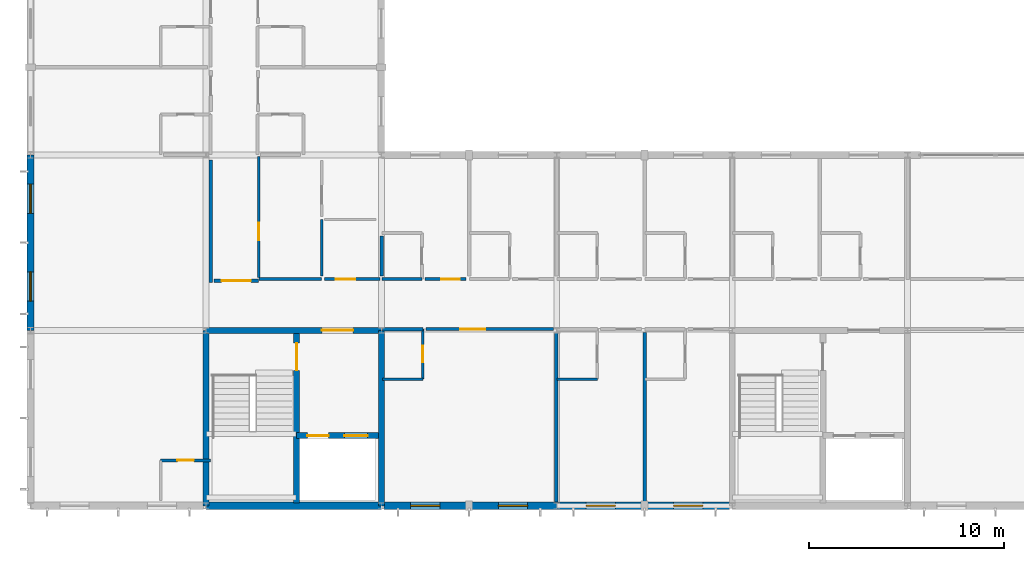
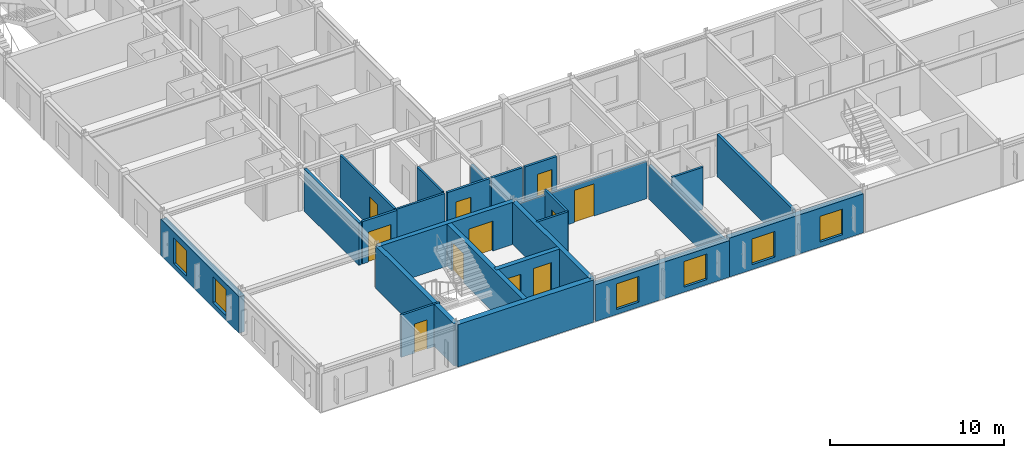
# One storey, part 9 of 18: 26 walls, 11 doors, 6 windows, 17 openings.
"""IFC4 building model written with IfcOpenShell, lengths in metres."""

from ifc_helpers import new_model, si_unit, direction, frame, frame_2d, origin, place, context, subcontext, project, spatial, rectangle, extrude, material, layer, layer_set, type_object, element, fill, save


model = new_model("IFC4")

# Units and contexts
model_context = context("Model", 3, precision=1e-05, world=origin(), true_north=direction((0.0, 1.0)))
body_context = subcontext(model_context, "Body", "Model", "MODEL_VIEW")
ifc_project = project(units=[si_unit("LENGTHUNIT", "METRE"), si_unit("AREAUNIT", "SQUARE_METRE"), si_unit("VOLUMEUNIT", "CUBIC_METRE"), si_unit("PLANEANGLEUNIT", "RADIAN"), si_unit("MASSUNIT", "GRAM", prefix="KILO")], contexts=[model_context])

# Site, building, storey
site_placement = place(None, origin())
site = spatial("IfcSite", under=ifc_project, at=site_placement, CompositionType="ELEMENT")
building_placement = place(site_placement, origin())
building = spatial("IfcBuilding", under=site, at=building_placement, Name="Palais des Congres Ocreval", CompositionType="ELEMENT")
storey_placement = place(building_placement, frame((0.0, 0.0, 23.679931640625)))
storey = spatial("IfcBuildingStorey", under=building, at=storey_placement, Name="L07", CompositionType="ELEMENT", Elevation=23.679931640625)

# Wall, opening, door
ifc_material_1 = material(Name="Moisture-resistant gypsum board")
ifc_layer_1 = layer(ifc_material_1, 0.139892578125)
ifc_layer_set_1 = layer_set([ifc_layer_1], Name="Bathroom Plumbing Chase Wall 140 Gypsum (Moisture-resistant gypsum board)")
wall_type_1 = type_object("IfcWallType", Name="Bathroom Plumbing Chase Wall 140 Gypsum", PredefinedType="PLUMBINGWALL", material=ifc_layer_set_1)
wall_1_placement = place(storey_placement, frame((6.679931640625, 2.330078125, 0.0), z_axis=(0.0, 0.0, 1.0), x_axis=(1.0, 0.0, 0.0)))
wall_1 = element("IfcWall", 1, at=wall_1_placement, inside=storey, type_object=wall_type_1, Name="Bathroom Plumbing Wall PW03 L07", PredefinedType="PLUMBINGWALL", context=body_context, shape_type="SweptSolid", body=[
    extrude(rectangle(XDim=2.56005859375, YDim=0.139892578125, at=frame_2d((1.280029296875, 0.0))), origin(), (0.0, 0.0, 1.0), 2.9599609375),
])
opening_1_placement = place(wall_1_placement, frame((0.85498046875, 0.0, 0.0)))
opening_1 = element("IfcOpeningElement", 2, at=opening_1_placement, cuts=wall_1, Name="Opening D08", PredefinedType="OPENING", context=body_context, shape_type="SweptSolid", body=[
    extrude(rectangle(XDim=0.85009765625, YDim=2.0400390625, at=frame_2d((0.425048828125, 1.02001953125))), frame((0.0, 0.079833984375, 0.0), z_axis=(0.0, -1.0, 0.0), x_axis=(1.0, 0.0, 0.0)), (0.0, 0.0, 1.0), 0.159912109375),
])
ifc_material_2 = material(Name="Solid French oak", Category="wood")
door_type_1 = type_object("IfcDoorType", Name="En-Suite Bathroom Door 850x2040", OperationType="NOTDEFINED", PredefinedType="DOOR", material=ifc_material_2)
door_1_placement = place(opening_1_placement, origin())
door_1 = element("IfcDoor", 3, at=door_1_placement, inside=storey, type_object=door_type_1, Name="En-Suite Bathroom Door D08 L07", OperationType="SINGLE_SWING_LEFT", OverallHeight=2.0400390625, OverallWidth=0.85009765625, PredefinedType="DOOR", context=body_context, shape_type="SweptSolid", body=[
    extrude(rectangle(XDim=0.85009765625, YDim=2.0400390625, at=frame_2d((0.425048828125, 1.02001953125))), frame((0.0, 0.02490234375, 0.0), z_axis=(0.0, -1.0, 0.0), x_axis=(1.0, 0.0, 0.0)), (0.0, 0.0, 1.0), 0.050048828125),
])
fill(opening_1, door_1)

wall_2_placement = place(storey_placement, frame((20.1298828125, 6.5, 0.0), z_axis=(0.0, 0.0, 1.0), x_axis=(0.0, 1.0, 0.0)))
wall_2 = element("IfcWall", 4, at=wall_2_placement, inside=storey, type_object=wall_type_1, Name="Bathroom Plumbing Wall PW03 L07", PredefinedType="PLUMBINGWALL", context=body_context, shape_type="SweptSolid", body=[
    extrude(rectangle(XDim=2.56005859375, YDim=0.139892578125, at=frame_2d((1.280029296875, 0.0))), origin(), (0.0, 0.0, 1.0), 2.9599609375),
])
opening_2_placement = place(wall_2_placement, frame((0.85498046875, 0.0, 0.0)))
opening_2 = element("IfcOpeningElement", 5, at=opening_2_placement, cuts=wall_2, Name="Opening D08", PredefinedType="OPENING", context=body_context, shape_type="SweptSolid", body=[
    extrude(rectangle(XDim=0.85009765625, YDim=2.0400390625, at=frame_2d((0.425048828125, 1.02001953125))), frame((0.0, 0.079833984375, 0.0), z_axis=(0.0, -1.0, 0.0), x_axis=(1.0, 0.0, 0.0)), (0.0, 0.0, 1.0), 0.159912109375),
])
door_2_placement = place(opening_2_placement, origin())
door_2 = element("IfcDoor", 6, at=door_2_placement, inside=storey, type_object=door_type_1, Name="En-Suite Bathroom Door D08 L07", OperationType="SINGLE_SWING_RIGHT", OverallHeight=2.0400390625, OverallWidth=0.85009765625, PredefinedType="DOOR", context=body_context, shape_type="SweptSolid", body=[
    extrude(rectangle(XDim=0.85009765625, YDim=2.0400390625, at=frame_2d((0.425048828125, 1.02001953125))), frame((0.0, 0.02490234375, 0.0), z_axis=(0.0, -1.0, 0.0), x_axis=(1.0, 0.0, 0.0)), (0.0, 0.0, 1.0), 0.050048828125),
])
fill(opening_2, door_2)

# Walls
wall_3_placement = place(storey_placement, frame((18.070068359375, 6.5, 0.0), z_axis=(0.0, 0.0, 1.0), x_axis=(1.0, 0.0, 0.0)))
element("IfcWall", 7, at=wall_3_placement, inside=storey, type_object=wall_type_1, Name="Bathroom Plumbing Wall PW03 L07", PredefinedType="PLUMBINGWALL", context=body_context, shape_type="SweptSolid", body=[
    extrude(rectangle(XDim=2.059814453125, YDim=0.139892578125, at=frame_2d((1.02978515625, 0.0))), origin(), (0.0, 0.0, 1.0), 2.9599609375),
])
wall_4_placement = place(storey_placement, frame((27.02001953125, 6.5, 0.0), z_axis=(0.0, 0.0, 1.0), x_axis=(1.0, 0.0, 0.0)))
element("IfcWall", 8, at=wall_4_placement, inside=storey, type_object=wall_type_1, Name="Bathroom Plumbing Wall PW03 L07", PredefinedType="PLUMBINGWALL", context=body_context, shape_type="SweptSolid", body=[
    extrude(rectangle(XDim=2.06005859375, YDim=0.139892578125, at=frame_2d((1.030029296875, 0.0))), origin(), (0.0, 0.0, 1.0), 2.9599609375),
])
wall_5_placement = place(storey_placement, frame((11.719970703125, 11.635009765625, 0.0), z_axis=(0.0, 0.0, 1.0), x_axis=(1.0, 0.0, 0.0)))
element("IfcWall", 9, at=wall_5_placement, inside=storey, type_object=wall_type_1, Name="Interior Partition PW03 L07", PredefinedType="PLUMBINGWALL", context=body_context, shape_type="SweptSolid", body=[
    extrude(rectangle(XDim=3.2099609375, YDim=0.139892578125, at=frame_2d((1.60498046875, 0.0))), origin(), (0.0, 0.0, 1.0), 2.9599609375),
])
wall_6_placement = place(storey_placement, frame((14.93505859375, 11.7900390625, 0.0), z_axis=(0.0, 0.0, 1.0), x_axis=(0.0, 1.0, 0.0)))
element("IfcWall", 10, at=wall_6_placement, inside=storey, type_object=wall_type_1, Name="Interior Partition PW03 L07", PredefinedType="PLUMBINGWALL", context=body_context, shape_type="SweptSolid", body=[
    extrude(rectangle(XDim=2.889892578125, YDim=0.139892578125, at=frame_2d((1.44482421875, 0.0))), origin(), (0.0, 0.0, 1.0), 2.9599609375),
])

# Wall, opening, door
wall_7_placement = place(storey_placement, frame((11.7099609375, 11.705078125, 0.0), z_axis=(0.0, 0.0, 1.0), x_axis=(0.0, 1.0, 0.0)))
wall_7 = element("IfcWall", 11, at=wall_7_placement, inside=storey, type_object=wall_type_1, Name="Interior Partition PW03 L07", PredefinedType="PLUMBINGWALL", context=body_context, shape_type="SweptSolid", body=[
    extrude(rectangle(XDim=6.219970703125, YDim=0.139892578125, at=frame_2d((3.10986328125, 0.0))), origin(), (0.0, 0.0, 1.0), 2.9599609375),
])
opening_3_placement = place(wall_7_placement, frame((1.91357421875, 0.0, 0.0)))
opening_3 = element("IfcOpeningElement", 12, at=opening_3_placement, cuts=wall_7, Name="Opening D09", PredefinedType="OPENING", context=body_context, shape_type="SweptSolid", body=[
    extrude(rectangle(XDim=0.89990234375, YDim=2.10009765625, at=frame_2d((0.449951171875, 1.050048828125))), frame((0.0, 0.079833984375, 0.0), z_axis=(0.0, -1.0, 0.0), x_axis=(1.0, 0.0, 0.0)), (0.0, 0.0, 1.0), 0.159912109375),
])
door_type_2 = type_object("IfcDoorType", Name="Accessible Restroom Door 900x2100", OperationType="NOTDEFINED", PredefinedType="DOOR", material=ifc_material_2)
door_3_placement = place(opening_3_placement, origin())
door_3 = element("IfcDoor", 13, at=door_3_placement, inside=storey, type_object=door_type_2, Name="Interior Door D09 L07", OperationType="SINGLE_SWING_RIGHT", OverallHeight=2.10009765625, OverallWidth=0.89990234375, PredefinedType="DOOR", context=body_context, shape_type="SweptSolid", body=[
    extrude(rectangle(XDim=0.89990234375, YDim=2.10009765625, at=frame_2d((0.449951171875, 1.050048828125))), frame((0.0, 0.02490234375, 0.0), z_axis=(0.0, -1.0, 0.0), x_axis=(1.0, 0.0, 0.0)), (0.0, 0.0, 1.0), 0.050048828125),
])
fill(opening_3, door_3)

# Wall
ifc_material_3 = material(Name="Concrete C40/50", Category="concrete")
ifc_layer_2 = layer(ifc_material_3, 0.300048828125)
ifc_layer_set_2 = layer_set([ifc_layer_2], Name="Core Shear Wall 300 Concrete C40/50")
wall_type_2 = type_object("IfcWallType", Name="Core Shear Wall 300 Concrete C40/50", PredefinedType="SHEAR", material=ifc_layer_set_2)
wall_8_placement = place(storey_placement, frame((18.0, 0.0, 0.0), z_axis=(0.0, 0.0, 1.0), x_axis=(0.0, 1.0, 0.0)))
element("IfcWall", 14, at=wall_8_placement, inside=storey, type_object=wall_type_2, Name="Core Shear Wall SC01 L07 E", PredefinedType="SHEAR", context=body_context, shape_type="SweptSolid", body=[
    extrude(rectangle(XDim=9.0, YDim=0.300048828125, at=frame_2d((4.5, 0.0))), origin(), (0.0, 0.0, 1.0), 2.9599609375),
])

# Wall, opening, door
wall_9_placement = place(storey_placement, frame((9.0, 9.0, 0.0), z_axis=(0.0, 0.0, 1.0), x_axis=(1.0, 0.0, 0.0)))
wall_9 = element("IfcWall", 15, at=wall_9_placement, inside=storey, type_object=wall_type_2, Name="Core Shear Wall SC01 L07 N", PredefinedType="SHEAR", context=body_context, shape_type="SweptSolid", body=[
    extrude(rectangle(XDim=9.0, YDim=0.300048828125, at=frame_2d((4.5, 0.0))), origin(), (0.0, 0.0, 1.0), 2.9599609375),
])
opening_4_placement = place(wall_9_placement, frame((5.949951171875, 0.0, 0.0)))
opening_4 = element("IfcOpeningElement", 16, at=opening_4_placement, cuts=wall_9, Name="Opening D02", PredefinedType="OPENING", context=body_context, shape_type="SweptSolid", body=[
    extrude(rectangle(XDim=1.60009765625, YDim=2.10009765625, at=frame_2d((0.800048828125, 1.050048828125))), frame((0.0, 0.159912109375, 0.0), z_axis=(0.0, -1.0, 0.0), x_axis=(1.0, 0.0, 0.0)), (0.0, 0.0, 1.0), 0.320068359375),
])
ifc_material_4 = material(Name="Painted fire-rated steel", Category="steel")
door_type_3 = type_object("IfcDoorType", Name="Firefighting Lobby Rated Door 1600x2100", OperationType="NOTDEFINED", PredefinedType="DOOR", material=ifc_material_4)
door_4_placement = place(opening_4_placement, origin())
door_4 = element("IfcDoor", 17, at=door_4_placement, inside=storey, type_object=door_type_3, Name="Firefighting Lobby Entrance Door SC01 L07", OperationType="DOUBLE_DOOR_SINGLE_SWING", OverallHeight=2.10009765625, OverallWidth=1.60009765625, PredefinedType="DOOR", context=body_context, shape_type="SweptSolid", body=[
    extrude(rectangle(XDim=1.60009765625, YDim=2.10009765625, at=frame_2d((0.800048828125, 1.050048828125))), frame((0.0, 0.02490234375, 0.0), z_axis=(0.0, -1.0, 0.0), x_axis=(1.0, 0.0, 0.0)), (0.0, 0.0, 1.0), 0.050048828125),
])
fill(opening_4, door_4)

# Wall
wall_10_placement = place(storey_placement, frame((9.0, 0.0, 0.0), z_axis=(0.0, 0.0, 1.0), x_axis=(0.0, 1.0, 0.0)))
element("IfcWall", 18, at=wall_10_placement, inside=storey, type_object=wall_type_2, Name="Core Shear Wall SC01 L07 W", PredefinedType="SHEAR", context=body_context, shape_type="SweptSolid", body=[
    extrude(rectangle(XDim=9.0, YDim=0.300048828125, at=frame_2d((4.5, 0.0))), origin(), (0.0, 0.0, 1.0), 2.9599609375),
])

# Wall, opening, door
wall_11_placement = place(storey_placement, frame((13.64990234375, 0.14990234375, 0.0), z_axis=(0.0, 0.0, 1.0), x_axis=(0.0, 1.0, 0.0)))
wall_11 = element("IfcWall", 19, at=wall_11_placement, inside=storey, type_object=wall_type_2, Name="Core Spine Shear Wall SC01 L07", PredefinedType="SHEAR", context=body_context, shape_type="SweptSolid", body=[
    extrude(rectangle(XDim=8.7001953125, YDim=0.300048828125, at=frame_2d((4.35009765625, 0.0))), origin(), (0.0, 0.0, 1.0), 2.9599609375),
])
opening_5_placement = place(wall_11_placement, frame((6.800048828125, 0.0, 0.0)))
opening_5 = element("IfcOpeningElement", 20, at=opening_5_placement, cuts=wall_11, Name="Opening D03", PredefinedType="OPENING", context=body_context, shape_type="SweptSolid", body=[
    extrude(rectangle(XDim=1.39990234375, YDim=2.02001953125, at=frame_2d((0.699951171875, 1.010009765625))), frame((0.0, 0.159912109375, 0.0), z_axis=(0.0, -1.0, 0.0), x_axis=(1.0, 0.0, 0.0)), (0.0, 0.0, 1.0), 0.320068359375),
])
door_type_4 = type_object("IfcDoorType", Name="Core Lobby Rated Door 1400x2020", OperationType="NOTDEFINED", PredefinedType="DOOR", material=ifc_material_4)
door_5_placement = place(opening_5_placement, origin())
door_5 = element("IfcDoor", 21, at=door_5_placement, inside=storey, type_object=door_type_4, Name="Protected Exit Stair Door ST01 L07", OperationType="SINGLE_SWING_LEFT", OverallHeight=2.02001953125, OverallWidth=1.39990234375, PredefinedType="DOOR", context=body_context, shape_type="SweptSolid", body=[
    extrude(rectangle(XDim=1.39990234375, YDim=2.02001953125, at=frame_2d((0.699951171875, 1.010009765625))), frame((0.0, 0.02490234375, 0.0), z_axis=(0.0, -1.0, 0.0), x_axis=(1.0, 0.0, 0.0)), (0.0, 0.0, 1.0), 0.050048828125),
])
fill(opening_5, door_5)

# Wall, openings, doors
wall_12_placement = place(storey_placement, frame((13.64990234375, 3.60009765625, 0.0), z_axis=(0.0, 0.0, 1.0), x_axis=(1.0, 0.0, 0.0)))
wall_12 = element("IfcWall", 22, at=wall_12_placement, inside=storey, type_object=wall_type_2, Name="Lift Shaft Front Wall SC01 L07", PredefinedType="SHEAR", context=body_context, shape_type="SweptSolid", body=[
    extrude(rectangle(XDim=4.2001953125, YDim=0.300048828125, at=frame_2d((2.10009765625, 0.0))), origin(), (0.0, 0.0, 1.0), 2.9599609375),
])
opening_6_placement = place(wall_12_placement, frame((0.550048828125, 0.0, 0.0)))
opening_6 = element("IfcOpeningElement", 23, at=opening_6_placement, cuts=wall_12, Name="Opening LD01", PredefinedType="OPENING", context=body_context, shape_type="SweptSolid", body=[
    extrude(rectangle(XDim=1.10009765625, YDim=2.10009765625, at=frame_2d((0.550048828125, 1.050048828125))), frame((0.0, 0.159912109375, 0.0), z_axis=(0.0, -1.0, 0.0), x_axis=(1.0, 0.0, 0.0)), (0.0, 0.0, 1.0), 0.320068359375),
])
opening_7_placement = place(wall_12_placement, frame((2.449951171875, 0.0, 0.0)))
opening_7 = element("IfcOpeningElement", 24, at=opening_7_placement, cuts=wall_12, Name="Opening LD02", PredefinedType="OPENING", context=body_context, shape_type="SweptSolid", body=[
    extrude(rectangle(XDim=1.199951171875, YDim=2.199951171875, at=frame_2d((0.60009765625, 1.10009765625))), frame((0.0, 0.159912109375, 0.0), z_axis=(0.0, -1.0, 0.0), x_axis=(1.0, 0.0, 0.0)), (0.0, 0.0, 1.0), 0.320068359375),
])
ifc_material_5 = material(Name="Stainless steel", Category="steel")
door_type_5 = type_object("IfcDoorType", Name="Firefighting Lift Sliding Landing Door 1100x2100", OperationType="NOTDEFINED", PredefinedType="DOOR", material=ifc_material_5)
door_6_placement = place(opening_6_placement, origin())
door_6 = element("IfcDoor", 25, at=door_6_placement, inside=storey, type_object=door_type_5, Name="Lift Landing Sliding Door FF1 L07", OperationType="DOUBLE_DOOR_SLIDING", OverallHeight=2.10009765625, OverallWidth=1.10009765625, PredefinedType="DOOR", context=body_context, shape_type="SweptSolid", body=[
    extrude(rectangle(XDim=1.10009765625, YDim=2.10009765625, at=frame_2d((0.550048828125, 1.050048828125))), frame((0.0, 0.02490234375, 0.0), z_axis=(0.0, -1.0, 0.0), x_axis=(1.0, 0.0, 0.0)), (0.0, 0.0, 1.0), 0.050048828125),
])
fill(opening_6, door_6)
ifc_material_6 = material(Name="Anodized bronze steel", Category="steel")
door_type_6 = type_object("IfcDoorType", Name="Passenger and Service Lift Sliding Door 1200x2200", OperationType="NOTDEFINED", PredefinedType="DOOR", material=ifc_material_6)
door_7_placement = place(opening_7_placement, origin())
door_7 = element("IfcDoor", 26, at=door_7_placement, inside=storey, type_object=door_type_6, Name="Lift Landing Sliding Door PL1 L07", OperationType="DOUBLE_DOOR_SLIDING", OverallHeight=2.199951171875, OverallWidth=1.199951171875, PredefinedType="DOOR", context=body_context, shape_type="SweptSolid", body=[
    extrude(rectangle(XDim=1.199951171875, YDim=2.199951171875, at=frame_2d((0.60009765625, 1.10009765625))), frame((0.0, 0.02490234375, 0.0), z_axis=(0.0, -1.0, 0.0), x_axis=(1.0, 0.0, 0.0)), (0.0, 0.0, 1.0), 0.050048828125),
])
fill(opening_7, door_7)

# Walls
ifc_material_7 = material(Name="Gypsum acoustic partition")
ifc_layer_3 = layer(ifc_material_7, 0.159912109375)
ifc_layer_set_3 = layer_set([ifc_layer_3], Name="Corridor Fire Partition 160 Gypsum (Gypsum acoustic partition)")
wall_type_3 = type_object("IfcWallType", Name="Corridor Fire Partition 160 Gypsum", PredefinedType="PARTITIONING", material=ifc_layer_set_3)
wall_13_placement = place(storey_placement, frame((18.070068359375, 9.06005859375, 0.0), z_axis=(0.0, 0.0, 1.0), x_axis=(1.0, 0.0, 0.0)))
element("IfcWall", 27, at=wall_13_placement, inside=storey, type_object=wall_type_3, Name="Corridor Partition IW03 L07", PredefinedType="PARTITIONING", context=body_context, shape_type="SweptSolid", body=[
    extrude(rectangle(XDim=2.059814453125, YDim=0.159912109375, at=frame_2d((1.02978515625, 0.0))), origin(), (0.0, 0.0, 1.0), 2.60009765625),
])
wall_14_placement = place(storey_placement, frame((18.02001953125, 11.639892578125, 0.0), z_axis=(0.0, 0.0, 1.0), x_axis=(1.0, 0.0, 0.0)))
element("IfcWall", 28, at=wall_14_placement, inside=storey, type_object=wall_type_3, Name="Corridor Partition IW03 L07", PredefinedType="PARTITIONING", context=body_context, shape_type="SweptSolid", body=[
    extrude(rectangle(XDim=2.06005859375, YDim=0.159912109375, at=frame_2d((1.030029296875, 0.0))), origin(), (0.0, 0.0, 1.0), 2.9599609375),
])

# Wall, opening, door
wall_15_placement = place(storey_placement, frame((9.405029296875, 11.550048828125, 0.0), z_axis=(0.0, 0.0, 1.0), x_axis=(1.0, 0.0, 0.0)))
wall_15 = element("IfcWall", 29, at=wall_15_placement, inside=storey, type_object=wall_type_3, Name="Interior Partition IW03 L07", PredefinedType="PARTITIONING", context=body_context, shape_type="SweptSolid", body=[
    extrude(rectangle(XDim=2.294921875, YDim=0.159912109375, at=frame_2d((1.1474609375, 0.0))), origin(), (0.0, 0.0, 1.0), 2.9599609375),
])
opening_8_placement = place(wall_15_placement, frame((0.3974609375, 0.0, 0.0)))
opening_8 = element("IfcOpeningElement", 30, at=opening_8_placement, cuts=wall_15, Name="Opening D04", PredefinedType="OPENING", context=body_context, shape_type="SweptSolid", body=[
    extrude(rectangle(XDim=1.5, YDim=2.10009765625, at=frame_2d((0.75, 1.050048828125))), frame((0.0, 0.08984375, 0.0), z_axis=(0.0, -1.0, 0.0), x_axis=(1.0, 0.0, 0.0)), (0.0, 0.0, 1.0), 0.179931640625),
])
ifc_material_8 = material(Name="Solid French oak fire door", Category="wood")
door_type_7 = type_object("IfcDoorType", Name="Corridor Compartment Double Door 1500x2100", OperationType="NOTDEFINED", PredefinedType="DOOR", material=ifc_material_8)
door_8_placement = place(opening_8_placement, origin())
door_8 = element("IfcDoor", 31, at=door_8_placement, inside=storey, type_object=door_type_7, Name="Interior Door D04 L07", OperationType="DOUBLE_DOOR_SINGLE_SWING", OverallHeight=2.10009765625, OverallWidth=1.5, PredefinedType="DOOR", context=body_context, shape_type="SweptSolid", body=[
    extrude(rectangle(XDim=1.5, YDim=2.10009765625, at=frame_2d((0.75, 1.050048828125))), frame((0.0, 0.02490234375, 0.0), z_axis=(0.0, -1.0, 0.0), x_axis=(1.0, 0.0, 0.0)), (0.0, 0.0, 1.0), 0.050048828125),
])
fill(opening_8, door_8)

wall_16_placement = place(storey_placement, frame((20.284912109375, 9.06494140625, 0.0), z_axis=(0.0, 0.0, 1.0), x_axis=(1.0, 0.0, 0.0)))
wall_16 = element("IfcWall", 32, at=wall_16_placement, inside=storey, type_object=wall_type_3, Name="Interior Partition IW03 L07", PredefinedType="PARTITIONING", context=body_context, shape_type="SweptSolid", body=[
    extrude(rectangle(XDim=6.53515625, YDim=0.159912109375, at=frame_2d((3.267578125, 0.0))), origin(), (0.0, 0.0, 1.0), 2.60009765625),
])
opening_9_placement = place(wall_16_placement, frame((1.75, 0.0, 0.0)))
opening_9 = element("IfcOpeningElement", 33, at=opening_9_placement, cuts=wall_16, Name="Opening D07", PredefinedType="OPENING", context=body_context, shape_type="SweptSolid", body=[
    extrude(rectangle(XDim=1.300048828125, YDim=2.25, at=frame_2d((0.64990234375, 1.125))), frame((0.0, 0.08984375, 0.0), z_axis=(0.0, -1.0, 0.0), x_axis=(1.0, 0.0, 0.0)), (0.0, 0.0, 1.0), 0.179931640625),
])
door_type_8 = type_object("IfcDoorType", Name="Luxury Suite Double Door 1300x2250", OperationType="NOTDEFINED", PredefinedType="DOOR", material=ifc_material_2)
door_9_placement = place(opening_9_placement, origin())
door_9 = element("IfcDoor", 34, at=door_9_placement, inside=storey, type_object=door_type_8, Name="Interior Door D07 L07", OperationType="DOUBLE_DOOR_SINGLE_SWING", OverallHeight=2.25, OverallWidth=1.300048828125, PredefinedType="DOOR", context=body_context, shape_type="SweptSolid", body=[
    extrude(rectangle(XDim=1.300048828125, YDim=2.25, at=frame_2d((0.64990234375, 1.125))), frame((0.0, 0.02490234375, 0.0), z_axis=(0.0, -1.0, 0.0), x_axis=(1.0, 0.0, 0.0)), (0.0, 0.0, 1.0), 0.050048828125),
])
fill(opening_9, door_9)

wall_17_placement = place(storey_placement, frame((15.090087890625, 11.635009765625, 0.0), z_axis=(0.0, 0.0, 1.0), x_axis=(1.0, 0.0, 0.0)))
wall_17 = element("IfcWall", 35, at=wall_17_placement, inside=storey, type_object=wall_type_3, Name="Interior Partition IW03 L07", PredefinedType="PARTITIONING", context=body_context, shape_type="SweptSolid", body=[
    extrude(rectangle(XDim=2.8349609375, YDim=0.159912109375, at=frame_2d((1.41748046875, 0.0))), origin(), (0.0, 0.0, 1.0), 2.9599609375),
])
opening_10_placement = place(wall_17_placement, frame((0.577392578125, 0.0, 0.0)))
opening_10 = element("IfcOpeningElement", 36, at=opening_10_placement, cuts=wall_17, Name="Opening D10", PredefinedType="OPENING", context=body_context, shape_type="SweptSolid", body=[
    extrude(rectangle(XDim=1.0, YDim=2.10009765625, at=frame_2d((0.5, 1.050048828125))), frame((0.0, 0.08984375, 0.0), z_axis=(0.0, -1.0, 0.0), x_axis=(1.0, 0.0, 0.0)), (0.0, 0.0, 1.0), 0.179931640625),
])
ifc_material_9 = material(Name="Painted steel", Category="steel")
door_type_9 = type_object("IfcDoorType", Name="Service and Pantry Door 1000x2100", OperationType="NOTDEFINED", PredefinedType="DOOR", material=ifc_material_9)
door_10_placement = place(opening_10_placement, origin())
door_10 = element("IfcDoor", 37, at=door_10_placement, inside=storey, type_object=door_type_9, Name="Interior Door D10 L07", OperationType="SINGLE_SWING_RIGHT", OverallHeight=2.10009765625, OverallWidth=1.0, PredefinedType="DOOR", context=body_context, shape_type="SweptSolid", body=[
    extrude(rectangle(XDim=1.0, YDim=2.10009765625, at=frame_2d((0.5, 1.050048828125))), frame((0.0, 0.02490234375, 0.0), z_axis=(0.0, -1.0, 0.0), x_axis=(1.0, 0.0, 0.0)), (0.0, 0.0, 1.0), 0.050048828125),
])
fill(opening_10, door_10)

wall_18_placement = place(storey_placement, frame((20.235107421875, 11.635009765625, 0.0), z_axis=(0.0, 0.0, 1.0), x_axis=(1.0, 0.0, 0.0)))
wall_18 = element("IfcWall", 38, at=wall_18_placement, inside=storey, type_object=wall_type_3, Name="Interior Partition IW03 L07", PredefinedType="PARTITIONING", context=body_context, shape_type="SweptSolid", body=[
    extrude(rectangle(XDim=2.10986328125, YDim=0.159912109375, at=frame_2d((1.054931640625, 0.0))), origin(), (0.0, 0.0, 1.0), 2.9599609375),
])
opening_11_placement = place(wall_18_placement, frame((0.833251953125, 0.0, 0.0)))
opening_11 = element("IfcOpeningElement", 39, at=opening_11_placement, cuts=wall_18, Name="Opening D05", PredefinedType="OPENING", context=body_context, shape_type="SweptSolid", body=[
    extrude(rectangle(XDim=0.949951171875, YDim=2.14990234375, at=frame_2d((0.47509765625, 1.074951171875))), frame((0.0, 0.08984375, 0.0), z_axis=(0.0, -1.0, 0.0), x_axis=(1.0, 0.0, 0.0)), (0.0, 0.0, 1.0), 0.179931640625),
])
door_type_10 = type_object("IfcDoorType", Name="Hotel Guestroom Entrance Door 950x2150", OperationType="NOTDEFINED", PredefinedType="DOOR", material=ifc_material_2)
door_11_placement = place(opening_11_placement, origin())
door_11 = element("IfcDoor", 40, at=door_11_placement, inside=storey, type_object=door_type_10, Name="Interior Door D05 L07", OperationType="SINGLE_SWING_RIGHT", OverallHeight=2.14990234375, OverallWidth=0.949951171875, PredefinedType="DOOR", context=body_context, shape_type="SweptSolid", body=[
    extrude(rectangle(XDim=0.949951171875, YDim=2.14990234375, at=frame_2d((0.47509765625, 1.074951171875))), frame((0.0, 0.02490234375, 0.0), z_axis=(0.0, -1.0, 0.0), x_axis=(1.0, 0.0, 0.0)), (0.0, 0.0, 1.0), 0.050048828125),
])
fill(opening_11, door_11)

# Walls
ifc_layer_4 = layer(ifc_material_7, 0.179931640625)
ifc_layer_set_4 = layer_set([ifc_layer_4], Name="Hotel Inter-Room Acoustic Partition 180 Gypsum (Gypsum acoustic partition)")
wall_type_4 = type_object("IfcWallType", Name="Hotel Inter-Room Acoustic Partition 180 Gypsum", PredefinedType="PARTITIONING", material=ifc_layer_set_4)
wall_19_placement = place(storey_placement, frame((9.25, 11.449951171875, 0.0), z_axis=(0.0, 0.0, 1.0), x_axis=(0.0, 1.0, 0.0)))
element("IfcWall", 41, at=wall_19_placement, inside=storey, type_object=wall_type_4, Name="Hotel Party Partition IW02 L07", PredefinedType="PARTITIONING", context=body_context, shape_type="SweptSolid", body=[
    extrude(rectangle(XDim=6.300048828125, YDim=0.179931640625, at=frame_2d((3.14990234375, 0.0))), origin(), (0.0, 0.0, 1.0), 2.9599609375),
])
wall_20_placement = place(storey_placement, frame((26.97509765625, 0.195068359375, 0.0), z_axis=(0.0, 0.0, 1.0), x_axis=(0.0, 1.0, 0.0)))
element("IfcWall", 42, at=wall_20_placement, inside=storey, type_object=wall_type_4, Name="Hotel Party Partition IW02 L07", PredefinedType="PARTITIONING", context=body_context, shape_type="SweptSolid", body=[
    extrude(rectangle(XDim=8.7099609375, YDim=0.179931640625, at=frame_2d((4.35498046875, 0.0))), origin(), (0.0, 0.0, 1.0), 2.3701171875),
])
wall_21_placement = place(storey_placement, frame((31.5, 0.195068359375, 0.0), z_axis=(0.0, 0.0, 1.0), x_axis=(0.0, 1.0, 0.0)))
element("IfcWall", 43, at=wall_21_placement, inside=storey, type_object=wall_type_4, Name="Hotel Party Partition IW02 L07", PredefinedType="PARTITIONING", context=body_context, shape_type="SweptSolid", body=[
    extrude(rectangle(XDim=8.7099609375, YDim=0.179931640625, at=frame_2d((4.35498046875, 0.0))), origin(), (0.0, 0.0, 1.0), 2.9599609375),
])
wall_22_placement = place(storey_placement, frame((18.02001953125, 11.794921875, 0.0), z_axis=(0.0, 0.0, 1.0), x_axis=(0.0, 1.0, 0.0)))
element("IfcWall", 44, at=wall_22_placement, inside=storey, type_object=wall_type_4, Name="Bathroom Party Closure Wall IW02 L07", PredefinedType="PARTITIONING", context=body_context, shape_type="SweptSolid", body=[
    extrude(rectangle(XDim=2.050048828125, YDim=0.179931640625, at=frame_2d((1.02490234375, 0.0))), origin(), (0.0, 0.0, 1.0), 2.56005859375),
])

# Wall, openings, windows
ifc_layer_5 = layer(ifc_material_3, 0.3798828125)
ifc_layer_set_5 = layer_set([ifc_layer_5], Name="Lutetian Limestone Street Wall 380 Concrete C40/50")
wall_type_5 = type_object("IfcWallType", Name="Lutetian Limestone Street Wall 380 Concrete C40/50", PredefinedType="SOLIDWALL", material=ifc_layer_set_5)
wall_23_placement = place(storey_placement, frame((35.8701171875, 0.0, 0.0), z_axis=(0.0, 0.0, 1.0), x_axis=(-1.0, 0.0, 0.0)))
wall_23 = element("IfcWall", 45, at=wall_23_placement, inside=storey, type_object=wall_type_5, Name="Exterior Wall EW03 L07", PredefinedType="SOLIDWALL", context=body_context, shape_type="SweptSolid", body=[
    extrude(rectangle(XDim=8.8701171875, YDim=0.3798828125, at=frame_2d((4.43505859375, 0.0))), origin(), (0.0, 0.0, 1.0), 2.72998046875),
])
opening_12_placement = place(wall_23_placement, frame((1.3701171875, 0.0, 0.35009765625)))
opening_12 = element("IfcOpeningElement", 46, at=opening_12_placement, cuts=wall_23, Name="Opening WN06", PredefinedType="OPENING", context=body_context, shape_type="SweptSolid", body=[
    extrude(rectangle(XDim=1.5, YDim=1.800048828125, at=frame_2d((0.75, 0.89990234375))), frame((0.0, 0.199951171875, 0.0), z_axis=(0.0, -1.0, 0.0), x_axis=(1.0, 0.0, 0.0)), (0.0, 0.0, 1.0), 0.39990234375),
])
opening_13_placement = place(wall_23_placement, frame((5.8701171875, 0.0, 0.35009765625)))
opening_13 = element("IfcOpeningElement", 47, at=opening_13_placement, cuts=wall_23, Name="Opening WN06", PredefinedType="OPENING", context=body_context, shape_type="SweptSolid", body=[
    extrude(rectangle(XDim=1.5, YDim=1.800048828125, at=frame_2d((0.75, 0.89990234375))), frame((0.0, 0.199951171875, 0.0), z_axis=(0.0, -1.0, 0.0), x_axis=(1.0, 0.0, 0.0)), (0.0, 0.0, 1.0), 0.39990234375),
])
ifc_material_10 = material(Name="Anodized bronze aluminium and low-E glass", Category="glass")
window_type = type_object("IfcWindowType", Name="Upper Setback Window 1500x1800", PartitioningType="SINGLE_PANEL", PredefinedType="WINDOW", material=ifc_material_10)
window_1_placement = place(opening_12_placement, origin())
window_1 = element("IfcWindow", 48, at=window_1_placement, inside=storey, type_object=window_type, Name="Hotel Facade Window WN06", OverallHeight=1.800048828125, OverallWidth=1.5, PartitioningType="SINGLE_PANEL", PredefinedType="WINDOW", context=body_context, shape_type="SweptSolid", body=[
    extrude(rectangle(XDim=1.5, YDim=1.800048828125, at=frame_2d((0.75, 0.89990234375))), frame((0.0, 0.030029296875, 0.0), z_axis=(0.0, -1.0, 0.0), x_axis=(1.0, 0.0, 0.0)), (0.0, 0.0, 1.0), 0.06005859375),
])
fill(opening_12, window_1)
window_2_placement = place(opening_13_placement, origin())
window_2 = element("IfcWindow", 49, at=window_2_placement, inside=storey, type_object=window_type, Name="Hotel Facade Window WN06", OverallHeight=1.800048828125, OverallWidth=1.5, PartitioningType="SINGLE_PANEL", PredefinedType="WINDOW", context=body_context, shape_type="SweptSolid", body=[
    extrude(rectangle(XDim=1.5, YDim=1.800048828125, at=frame_2d((0.75, 0.89990234375))), frame((0.0, 0.030029296875, 0.0), z_axis=(0.0, -1.0, 0.0), x_axis=(1.0, 0.0, 0.0)), (0.0, 0.0, 1.0), 0.06005859375),
])
fill(opening_13, window_2)

wall_24_placement = place(storey_placement, frame((27.0, 0.0, 0.0), z_axis=(0.0, 0.0, 1.0), x_axis=(-1.0, 0.0, 0.0)))
wall_24 = element("IfcWall", 50, at=wall_24_placement, inside=storey, type_object=wall_type_5, Name="Exterior Wall EW03 L07", PredefinedType="SOLIDWALL", context=body_context, shape_type="SweptSolid", body=[
    extrude(rectangle(XDim=8.8701171875, YDim=0.3798828125, at=frame_2d((4.43505859375, 0.0))), origin(), (0.0, 0.0, 1.0), 2.56005859375),
])
opening_14_placement = place(wall_24_placement, frame((1.5, 0.0, 0.35009765625)))
opening_14 = element("IfcOpeningElement", 51, at=opening_14_placement, cuts=wall_24, Name="Opening WN06", PredefinedType="OPENING", context=body_context, shape_type="SweptSolid", body=[
    extrude(rectangle(XDim=1.5, YDim=1.800048828125, at=frame_2d((0.75, 0.89990234375))), frame((0.0, 0.199951171875, 0.0), z_axis=(0.0, -1.0, 0.0), x_axis=(1.0, 0.0, 0.0)), (0.0, 0.0, 1.0), 0.39990234375),
])
opening_15_placement = place(wall_24_placement, frame((6.0, 0.0, 0.35009765625)))
opening_15 = element("IfcOpeningElement", 52, at=opening_15_placement, cuts=wall_24, Name="Opening WN06", PredefinedType="OPENING", context=body_context, shape_type="SweptSolid", body=[
    extrude(rectangle(XDim=1.5, YDim=1.800048828125, at=frame_2d((0.75, 0.89990234375))), frame((0.0, 0.199951171875, 0.0), z_axis=(0.0, -1.0, 0.0), x_axis=(1.0, 0.0, 0.0)), (0.0, 0.0, 1.0), 0.39990234375),
])
window_3_placement = place(opening_14_placement, origin())
window_3 = element("IfcWindow", 53, at=window_3_placement, inside=storey, type_object=window_type, Name="Hotel Facade Window WN06", OverallHeight=1.800048828125, OverallWidth=1.5, PartitioningType="SINGLE_PANEL", PredefinedType="WINDOW", context=body_context, shape_type="SweptSolid", body=[
    extrude(rectangle(XDim=1.5, YDim=1.800048828125, at=frame_2d((0.75, 0.89990234375))), frame((0.0, 0.030029296875, 0.0), z_axis=(0.0, -1.0, 0.0), x_axis=(1.0, 0.0, 0.0)), (0.0, 0.0, 1.0), 0.06005859375),
])
fill(opening_14, window_3)
window_4_placement = place(opening_15_placement, origin())
window_4 = element("IfcWindow", 54, at=window_4_placement, inside=storey, type_object=window_type, Name="Hotel Facade Window WN06", OverallHeight=1.800048828125, OverallWidth=1.5, PartitioningType="SINGLE_PANEL", PredefinedType="WINDOW", context=body_context, shape_type="SweptSolid", body=[
    extrude(rectangle(XDim=1.5, YDim=1.800048828125, at=frame_2d((0.75, 0.89990234375))), frame((0.0, 0.030029296875, 0.0), z_axis=(0.0, -1.0, 0.0), x_axis=(1.0, 0.0, 0.0)), (0.0, 0.0, 1.0), 0.06005859375),
])
fill(opening_15, window_4)

# Wall
wall_25_placement = place(storey_placement, frame((18.0, 0.0, 0.0), z_axis=(0.0, 0.0, 1.0), x_axis=(-1.0, 0.0, 0.0)))
element("IfcWall", 55, at=wall_25_placement, inside=storey, type_object=wall_type_5, Name="Core Perimeter Shear Wall EW03 SC01 L07", PredefinedType="SOLIDWALL", context=body_context, shape_type="SweptSolid", body=[
    extrude(rectangle(XDim=9.0, YDim=0.3798828125, at=frame_2d((4.5, 0.0))), origin(), (0.0, 0.0, 1.0), 2.9599609375),
])

# Wall, openings, windows
wall_26_placement = place(storey_placement, frame((0.0, 9.0, 0.0), z_axis=(0.0, 0.0, 1.0), x_axis=(0.0, 1.0, 0.0)))
wall_26 = element("IfcWall", 56, at=wall_26_placement, inside=storey, type_object=wall_type_5, Name="Exterior Wall EW03 L07", PredefinedType="SOLIDWALL", context=body_context, shape_type="SweptSolid", body=[
    extrude(rectangle(XDim=9.0, YDim=0.3798828125, at=frame_2d((4.5, 0.0))), origin(), (0.0, 0.0, 1.0), 2.56005859375),
])
opening_16_placement = place(wall_26_placement, frame((1.5, 0.0, 0.35009765625)))
opening_16 = element("IfcOpeningElement", 57, at=opening_16_placement, cuts=wall_26, Name="Opening WN06", PredefinedType="OPENING", context=body_context, shape_type="SweptSolid", body=[
    extrude(rectangle(XDim=1.5, YDim=1.800048828125, at=frame_2d((0.75, 0.89990234375))), frame((0.0, 0.199951171875, 0.0), z_axis=(0.0, -1.0, 0.0), x_axis=(1.0, 0.0, 0.0)), (0.0, 0.0, 1.0), 0.39990234375),
])
opening_17_placement = place(wall_26_placement, frame((6.0, 0.0, 0.35009765625)))
opening_17 = element("IfcOpeningElement", 58, at=opening_17_placement, cuts=wall_26, Name="Opening WN06", PredefinedType="OPENING", context=body_context, shape_type="SweptSolid", body=[
    extrude(rectangle(XDim=1.5, YDim=1.800048828125, at=frame_2d((0.75, 0.89990234375))), frame((0.0, 0.199951171875, 0.0), z_axis=(0.0, -1.0, 0.0), x_axis=(1.0, 0.0, 0.0)), (0.0, 0.0, 1.0), 0.39990234375),
])
window_5_placement = place(opening_16_placement, origin())
window_5 = element("IfcWindow", 59, at=window_5_placement, inside=storey, type_object=window_type, Name="Hotel Facade Window WN06", OverallHeight=1.800048828125, OverallWidth=1.5, PartitioningType="SINGLE_PANEL", PredefinedType="WINDOW", context=body_context, shape_type="SweptSolid", body=[
    extrude(rectangle(XDim=1.5, YDim=1.800048828125, at=frame_2d((0.75, 0.89990234375))), frame((0.0, 0.030029296875, 0.0), z_axis=(0.0, -1.0, 0.0), x_axis=(1.0, 0.0, 0.0)), (0.0, 0.0, 1.0), 0.06005859375),
])
fill(opening_16, window_5)
window_6_placement = place(opening_17_placement, origin())
window_6 = element("IfcWindow", 60, at=window_6_placement, inside=storey, type_object=window_type, Name="Hotel Facade Window WN06", OverallHeight=1.800048828125, OverallWidth=1.5, PartitioningType="SINGLE_PANEL", PredefinedType="WINDOW", context=body_context, shape_type="SweptSolid", body=[
    extrude(rectangle(XDim=1.5, YDim=1.800048828125, at=frame_2d((0.75, 0.89990234375))), frame((0.0, 0.030029296875, 0.0), z_axis=(0.0, -1.0, 0.0), x_axis=(1.0, 0.0, 0.0)), (0.0, 0.0, 1.0), 0.06005859375),
])
fill(opening_17, window_6)

save(model, "model.ifc")
